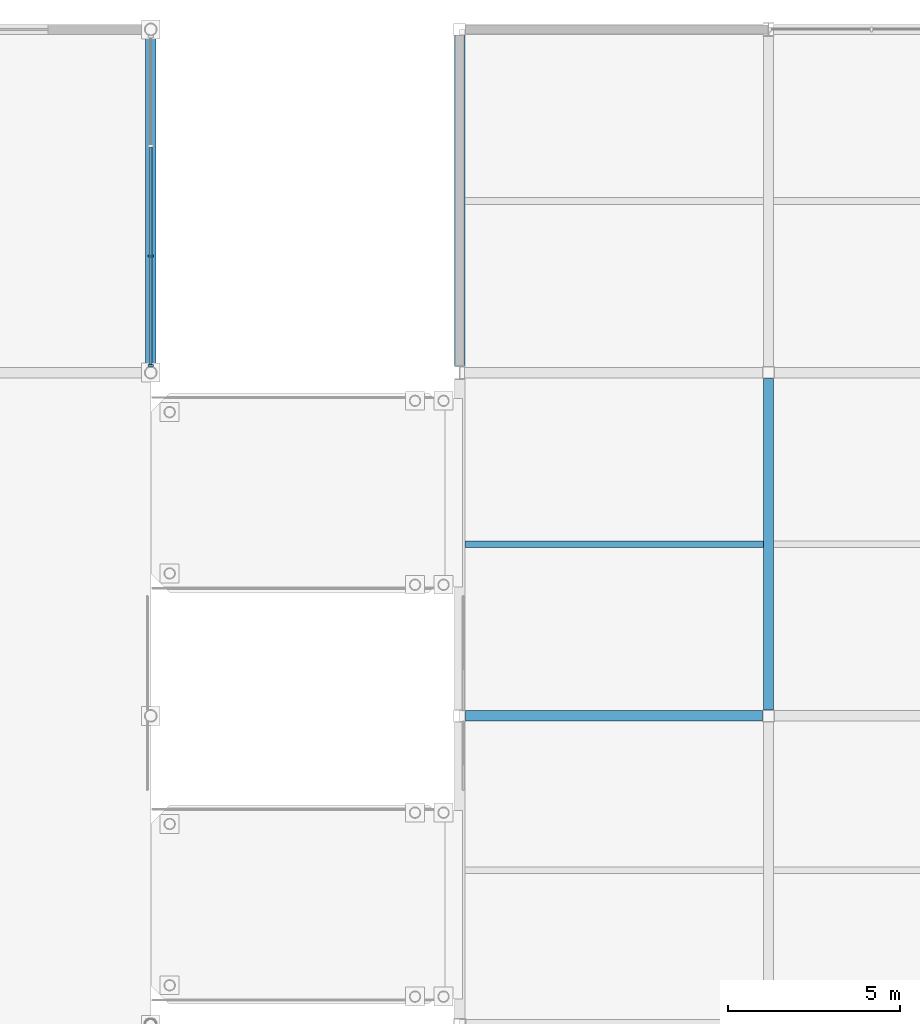
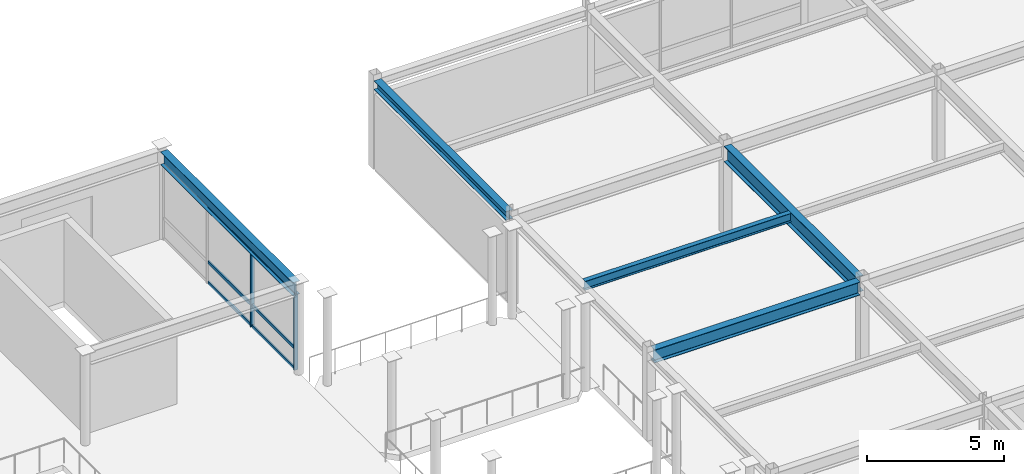
# One storey, part 22 of 53: 8 members, 5 beams, 1 element without a shape of its own.
"""IFC4 building model written with IfcOpenShell, lengths in metres."""

import ifcopenshell
import ifcopenshell.guid

model = None  # the IFC model being written
_history = None  # IfcOwnerHistory: only IFC2X3 demands one
_inside = {}  # id of a spatial element -> (the spatial element, [elements in it])
_under = {}  # id of a project, library or spatial element -> (it, [spatial elements below it])
_declared = {}  # id of a project -> (the project, [libraries it declares])
_typed = {}  # id of a type object -> (the type object, [elements of that type])
_made_of = {}  # id of a material, layer set ... -> (it, [elements and type objects made of it])


def new_model(schema):
    """Start an empty IFC model of exactly this schema.

    Asked for "IFC4X3", IfcOpenShell would pick the latest addendum, in which some entities
    have other attributes; the version numbers below select the first issue.
    IFC2X3 requires an IfcOwnerHistory on every rooted entity: one is made here for all.
    """
    global model, _history
    if schema == "IFC4X3":
        model = ifcopenshell.file(schema_version=(4, 3, 0, 0))
    else:
        model = ifcopenshell.file(schema=schema)
    _inside.clear()
    _under.clear()
    _declared.clear()
    _typed.clear()
    _made_of.clear()
    _history = None
    if model.schema == "IFC2X3":
        org = make("IfcOrganization", Name="unknown")
        user = make(
            "IfcPersonAndOrganization",
            ThePerson=make("IfcPerson", FamilyName="unknown"),
            TheOrganization=org,
        )
        app = make(
            "IfcApplication",
            ApplicationDeveloper=org,
            Version="unknown",
            ApplicationFullName="unknown",
            ApplicationIdentifier="unknown",
        )
        _history = make(
            "IfcOwnerHistory",
            OwningUser=user,
            OwningApplication=app,
            ChangeAction="ADDED",
            CreationDate=0,
        )
    return model


def make(cls, **values):
    """One entity of the class cls with the attributes given. An attribute that is None is left unset."""
    return model.create_entity(
        cls, **{name: value for name, value in values.items() if value is not None}
    )


def rooted(cls, **values):
    """An entity with a GlobalId (a new one), such as an element, a storey or a relation."""
    return make(cls, GlobalId=ifcopenshell.guid.new(), OwnerHistory=_history, **values)


def si_unit(unit_type, name, prefix=None):
    """IfcSIUnit, for example si_unit("LENGTHUNIT", "METRE", prefix="MILLI")."""
    return make("IfcSIUnit", UnitType=unit_type, Prefix=prefix, Name=name)


def assignment(units):
    """IfcUnitAssignment: the units of a project."""
    return None if units is None else make("IfcUnitAssignment", Units=units)


def point(xyz):
    """IfcCartesianPoint."""
    return None if xyz is None else make("IfcCartesianPoint", Coordinates=xyz)


def direction(xyz):
    """IfcDirection."""
    return None if xyz is None else make("IfcDirection", DirectionRatios=xyz)


def frame(location, z_axis=None, x_axis=None):
    """IfcAxis2Placement3D, a coordinate frame: its origin and axes. An axis left out is left unset."""
    return make(
        "IfcAxis2Placement3D",
        Location=point(location),
        Axis=direction(z_axis),
        RefDirection=direction(x_axis),
    )


def frame_2d(location, x_axis=None):
    """IfcAxis2Placement2D, a coordinate frame in the plane: its origin and x axis."""
    return make(
        "IfcAxis2Placement2D", Location=point(location), RefDirection=direction(x_axis)
    )


def origin():
    """The frame at (0, 0, 0) with its axes left unset."""
    return frame((0.0, 0.0, 0.0))


def origin_2d():
    """The frame at (0, 0) in the plane with its x axis left unset."""
    return frame_2d((0.0, 0.0))


def place(relative_to, where):
    """IfcLocalPlacement: puts the frame where relative to a parent placement (None: the world)."""
    return make(
        "IfcLocalPlacement", PlacementRelTo=relative_to, RelativePlacement=where
    )


def context(
    kind, dimensions, precision=None, world=None, true_north=None, identifier=None
):
    """IfcGeometricRepresentationContext, for example the 3D "Model" context."""
    return make(
        "IfcGeometricRepresentationContext",
        ContextIdentifier=identifier,
        ContextType=kind,
        CoordinateSpaceDimension=dimensions,
        Precision=precision,
        WorldCoordinateSystem=world,
        TrueNorth=true_north,
    )


def subcontext(parent, identifier, kind, view, scale=None):
    """IfcGeometricRepresentationSubContext, for example "Body" below "Model"."""
    return make(
        "IfcGeometricRepresentationSubContext",
        ContextIdentifier=identifier,
        ContextType=kind,
        ParentContext=parent,
        TargetScale=scale,
        TargetView=view,
    )


def project(units=None, contexts=None):
    """IfcProject with its units and contexts."""
    return rooted(
        "IfcProject",
        Name="project",
        RepresentationContexts=contexts,
        UnitsInContext=assignment(units),
    )


def spatial(cls, under=None, at=None, **own):
    """A site, building, storey or space (cls), placed at a placement, below another one or the project."""
    s = rooted(cls, ObjectPlacement=at, **own)
    if under is not None:
        _under.setdefault(under.id(), (under, []))[1].append(s)
    return s


def profile(cls, at=None, kind="AREA", **sizes):
    """A parametric profile (cls). Its sizes go by their IFC names, for example OverallWidth=200.0."""
    return make(cls, ProfileType=kind, Position=at, **sizes)


def rectangle(**sizes):
    """IfcRectangleProfileDef."""
    return profile("IfcRectangleProfileDef", **sizes)


def i_section(**sizes):
    """IfcIShapeProfileDef."""
    return profile("IfcIShapeProfileDef", **sizes)


def extrude(swept, where, along, depth):
    """IfcExtrudedAreaSolid: the profile swept, set in the frame where, extruded along a direction by depth."""
    return make(
        "IfcExtrudedAreaSolid",
        SweptArea=swept,
        Position=where,
        ExtrudedDirection=direction(along),
        Depth=depth,
    )


def shape(context_of_items, identifier, shape_type, items):
    """IfcShapeRepresentation: the items that make up one representation, for example the "Body"."""
    return make(
        "IfcShapeRepresentation",
        ContextOfItems=context_of_items,
        RepresentationIdentifier=identifier,
        RepresentationType=shape_type,
        Items=items,
    )


def material(Name=None, Category=None):
    """IfcMaterial."""
    return make("IfcMaterial", Name=Name, Category=Category)


def material_profile(
    of_material, cross_section, Name=None, Category=None, Priority=None
):
    """IfcMaterialProfile: a cross section and its material."""
    return make(
        "IfcMaterialProfile",
        Name=Name,
        Material=of_material,
        Profile=cross_section,
        Priority=Priority,
        Category=Category,
    )


def profile_set(profiles, Name=None, composite=None):
    """IfcMaterialProfileSet."""
    return make(
        "IfcMaterialProfileSet",
        Name=Name,
        MaterialProfiles=profiles,
        CompositeProfile=composite,
    )


def made_of(thing, what):
    """Note that an element or type object is made of a material, layer set ...; save() writes the relation."""
    if what is not None:
        _made_of.setdefault(what.id(), (what, []))[1].append(thing)
    return thing


def type_object(cls, material=None, **own):
    """A type object (cls), such as IfcWallType, which elements share."""
    return made_of(rooted(cls, **own), material)


def element(
    cls,
    number,
    at=None,
    inside=None,
    cuts=None,
    type_object=None,
    material=None,
    context=None,
    identifier="Body",
    shape_type=None,
    held_by="IfcProductDefinitionShape",
    body=None,
    shapes=None,
    **own,
):
    """One element of the class cls, such as IfcWall. Its Tag is "e" and its number.

    at: its placement. inside: the storey or other place that contains it. cuts: it is an
    opening in that element (IfcRelVoidsElement). A single representation is given by context,
    identifier, shape_type and body (its items); several are given by shapes. held_by: the class
    of the entity that holds the representations. save() writes the other relations.
    """
    e = rooted(cls, Tag="e%d" % number, ObjectPlacement=at, **own)
    if body is not None:
        shapes = [shape(context, identifier, shape_type, body)]
    if shapes is not None:
        e.Representation = make(held_by, Representations=shapes)
    if inside is not None:
        _inside.setdefault(inside.id(), (inside, []))[1].append(e)
    if cuts is not None:
        rooted(
            "IfcRelVoidsElement", RelatingBuildingElement=cuts, RelatedOpeningElement=e
        )
    if type_object is not None:
        _typed.setdefault(type_object.id(), (type_object, []))[1].append(e)
    return made_of(e, material)


def aggregate(whole, parts):
    """IfcRelAggregates: a whole, such as a stair, and the parts it consists of."""
    return rooted("IfcRelAggregates", RelatingObject=whole, RelatedObjects=parts)


def save(model, path):
    """Write the relations noted so far, then the file.

    IfcRelAggregates (storeys below a building ...), IfcRelContainedInSpatialStructure (elements
    in a storey), IfcRelDefinesByType, IfcRelAssociatesMaterial and IfcRelDeclares: one each for
    every whole, place, type object, material and project.
    """
    for whole, parts in _under.values():
        aggregate(whole, parts)
    for where, things in _inside.values():
        rooted(
            "IfcRelContainedInSpatialStructure",
            RelatedElements=things,
            RelatingStructure=where,
        )
    for kind, things in _typed.values():
        rooted("IfcRelDefinesByType", RelatedObjects=things, RelatingType=kind)
    for what, things in _made_of.values():
        rooted("IfcRelAssociatesMaterial", RelatedObjects=things, RelatingMaterial=what)
    for by, libraries in _declared.values():
        rooted("IfcRelDeclares", RelatingContext=by, RelatedDefinitions=libraries)
    model.write(path)


model = new_model("IFC4")

# Units and contexts
model_context = context("Model", 3, precision=1e-05, world=origin(), true_north=direction((0.0, 1.0)))
body_context = subcontext(model_context, "Body", "Model", "MODEL_VIEW")
ifc_project = project(units=[si_unit("LENGTHUNIT", "METRE"), si_unit("AREAUNIT", "SQUARE_METRE"), si_unit("VOLUMEUNIT", "CUBIC_METRE"), si_unit("PLANEANGLEUNIT", "RADIAN"), si_unit("MASSUNIT", "GRAM", prefix="KILO")], contexts=[model_context])

# Site, building, storey
site_placement = place(None, origin())
site = spatial("IfcSite", under=ifc_project, at=site_placement, CompositionType="ELEMENT")
building_placement = place(site_placement, origin())
building = spatial("IfcBuilding", under=site, at=building_placement, Name="Suzunagisa Mobility Hub", CompositionType="ELEMENT")
storey_placement = place(building_placement, frame((0.0, 0.0, 17.699951171875)))
storey = spatial("IfcBuildingStorey", under=building, at=storey_placement, Name="L04", CompositionType="ELEMENT", Elevation=17.699951171875)

# Curtain wall, members
ifc_material_1 = material(Name="Thermally Broken Anodized Aluminum and Low-E Glazing", Category="aluminium")
curtain_wall_type = type_object("IfcCurtainWallType", Name="Unitised Curtain Wall CW-05 9750x3400", PredefinedType="USERDEFINED", material=ifc_material_1)
curtain_wall_placement = place(storey_placement, origin())
curtain_wall = element("IfcCurtainWall", 1, at=curtain_wall_placement, inside=storey, type_object=curtain_wall_type, Name="L04 Unitised Curtain Wall CW-85", ObjectType="UNITISED CURTAIN WALL", PredefinedType="USERDEFINED")
ifc_material_2 = material(Name="Anodized Aluminum 6063-T6", Category="aluminium")
ifc_material_profile_1 = material_profile(ifc_material_2, rectangle(XDim=0.06494140625, YDim=0.139892578125, at=origin_2d()), Name="TRAN-65x140")
ifc_profile_set_1 = profile_set([ifc_material_profile_1], Name="Anodized Aluminum 6063-T6")
member_type_1 = type_object("IfcMemberType", Name="Curtain Wall Framing CM-01 TRAN-65x140", PredefinedType="USERDEFINED", material=ifc_profile_set_1)
member_1_placement = place(storey_placement, frame((36.0, 108.23583984375, 0.032470703125), z_axis=(0.0, 1.0, 0.0), x_axis=(-1.0, 0.0, 0.0)))
member_1 = element("IfcMember", 2, at=member_1_placement, type_object=member_type_1, Name="Curtain Wall Transom 85-T1.1", ObjectType="TRANSOM", PredefinedType="USERDEFINED", context=body_context, shape_type="SweptSolid", body=[
    extrude(rectangle(XDim=0.06494140625, YDim=0.139892578125, at=origin_2d()), origin(), (0.0, 0.0, 1.0), 3.128662109375),
])
member_2_placement = place(storey_placement, frame((36.0, 108.23583984375, 0.949951171875), z_axis=(0.0, 1.0, 0.0), x_axis=(-1.0, 0.0, 0.0)))
member_2 = element("IfcMember", 3, at=member_2_placement, type_object=member_type_1, Name="Curtain Wall Transom 85-T1.2", ObjectType="TRANSOM", PredefinedType="USERDEFINED", context=body_context, shape_type="SweptSolid", body=[
    extrude(rectangle(XDim=0.06494140625, YDim=0.139892578125, at=origin_2d()), origin(), (0.0, 0.0, 1.0), 3.128662109375),
])
member_3_placement = place(storey_placement, frame((36.0, 108.23583984375, 3.319580078125), z_axis=(0.0, 1.0, 0.0), x_axis=(-1.0, 0.0, 0.0)))
member_3 = element("IfcMember", 4, at=member_3_placement, type_object=member_type_1, Name="Curtain Wall Transom 85-T1.3", ObjectType="TRANSOM", PredefinedType="USERDEFINED", context=body_context, shape_type="SweptSolid", body=[
    extrude(rectangle(XDim=0.06494140625, YDim=0.139892578125, at=origin_2d()), origin(), (0.0, 0.0, 1.0), 3.128662109375),
])
member_4_placement = place(storey_placement, frame((36.0, 111.420654296875, 0.032470703125), z_axis=(0.0, 1.0, 0.0), x_axis=(-1.0, 0.0, 0.0)))
member_4 = element("IfcMember", 5, at=member_4_placement, type_object=member_type_1, Name="Curtain Wall Transom 85-T2.1", ObjectType="TRANSOM", PredefinedType="USERDEFINED", context=body_context, shape_type="SweptSolid", body=[
    extrude(rectangle(XDim=0.06494140625, YDim=0.139892578125, at=origin_2d()), origin(), (0.0, 0.0, 1.0), 3.15869140625),
])
member_5_placement = place(storey_placement, frame((36.0, 111.420654296875, 0.949951171875), z_axis=(0.0, 1.0, 0.0), x_axis=(-1.0, 0.0, 0.0)))
member_5 = element("IfcMember", 6, at=member_5_placement, type_object=member_type_1, Name="Curtain Wall Transom 85-T2.2", ObjectType="TRANSOM", PredefinedType="USERDEFINED", context=body_context, shape_type="SweptSolid", body=[
    extrude(rectangle(XDim=0.06494140625, YDim=0.139892578125, at=origin_2d()), origin(), (0.0, 0.0, 1.0), 3.15869140625),
])
member_6_placement = place(storey_placement, frame((36.0, 111.420654296875, 3.319580078125), z_axis=(0.0, 1.0, 0.0), x_axis=(-1.0, 0.0, 0.0)))
member_6 = element("IfcMember", 7, at=member_6_placement, type_object=member_type_1, Name="Curtain Wall Transom 85-T2.3", ObjectType="TRANSOM", PredefinedType="USERDEFINED", context=body_context, shape_type="SweptSolid", body=[
    extrude(rectangle(XDim=0.06494140625, YDim=0.139892578125, at=origin_2d()), origin(), (0.0, 0.0, 1.0), 3.15869140625),
])
ifc_material_profile_2 = material_profile(ifc_material_2, rectangle(XDim=0.06005859375, YDim=0.14990234375, at=origin_2d()), Name="MULL-60x150")
ifc_profile_set_2 = profile_set([ifc_material_profile_2], Name="Anodized Aluminum 6063-T6")
member_type_2 = type_object("IfcMemberType", Name="Curtain Wall Framing CM-03 MULL-60x150", PredefinedType="MULLION", material=ifc_profile_set_2)
member_7_placement = place(storey_placement, frame((36.0, 108.207763671875, 0.0), z_axis=(0.0, 0.0, 1.0), x_axis=(0.0, 1.0, 0.0)))
member_7 = element("IfcMember", 8, at=member_7_placement, type_object=member_type_2, Name="Curtain Wall Mullion 85-M1", PredefinedType="MULLION", context=body_context, shape_type="SweptSolid", body=[
    extrude(rectangle(XDim=0.06005859375, YDim=0.14990234375, at=origin_2d()), origin(), (0.0, 0.0, 1.0), 3.35205078125),
])
member_8_placement = place(storey_placement, frame((36.0, 111.392578125, 0.0), z_axis=(0.0, 0.0, 1.0), x_axis=(0.0, 1.0, 0.0)))
member_8 = element("IfcMember", 9, at=member_8_placement, type_object=member_type_2, Name="Curtain Wall Mullion 85-M2", PredefinedType="MULLION", context=body_context, shape_type="SweptSolid", body=[
    extrude(rectangle(XDim=0.06005859375, YDim=0.14990234375, at=origin_2d()), origin(), (0.0, 0.0, 1.0), 3.35205078125),
])
aggregate(curtain_wall, [member_7, member_8, member_1, member_2, member_3, member_4, member_5, member_6])

# Beams
ifc_material_3 = material(Name="Steel SN490B", Category="steel")
ifc_material_profile_3 = material_profile(ifc_material_3, i_section(OverallWidth=0.300048828125, OverallDepth=0.699951171875, WebThickness=0.012939453125, FlangeThickness=0.02392578125, FilletRadius=0.01806640625, at=origin_2d()), Name="H-700x300x13x24")
ifc_profile_set_3 = profile_set([ifc_material_profile_3], Name="Steel SN490B")
beam_type_1 = type_object("IfcBeamType", Name="Steel Beam BM-11 H-700x300x13x24", PredefinedType="BEAM", material=ifc_profile_set_3)
beam_1_placement = place(storey_placement, frame((54.0, 98.1708984375, 3.60009765625), z_axis=(0.0, 1.0, 0.0), x_axis=(-1.0, 0.0, 0.0)))
element("IfcBeam", 10, at=beam_1_placement, inside=storey, type_object=beam_type_1, Name="L04 Primary Girder GY-1179", PredefinedType="BEAM", context=body_context, shape_type="SweptSolid", body=[
    extrude(i_section(OverallWidth=0.300048828125, OverallDepth=0.699951171875, WebThickness=0.012939453125, FlangeThickness=0.02392578125, FilletRadius=0.01806640625, at=origin_2d()), origin(), (0.0, 0.0, 1.0), 9.658203125),
])
ifc_material_profile_4 = material_profile(ifc_material_3, i_section(OverallWidth=0.300048828125, OverallDepth=0.389892578125, WebThickness=0.010009765625, FlangeThickness=0.01611328125, FilletRadius=0.012939453125, at=origin_2d()), Name="H-390x300x10x16")
ifc_profile_set_4 = profile_set([ifc_material_profile_4], Name="Steel SN490B")
beam_type_2 = type_object("IfcBeamType", Name="Steel Beam BM-13 H-390x300x10x16", PredefinedType="SPANDREL", material=ifc_profile_set_4)
beam_2_placement = place(storey_placement, frame((45.0, 108.19091796875, 3.755126953125), z_axis=(0.0, 1.0, 0.0), x_axis=(-1.0, 0.0, 0.0)))
element("IfcBeam", 11, at=beam_2_placement, inside=storey, type_object=beam_type_2, Name="L04 Primary Girder GY-1176", PredefinedType="SPANDREL", context=body_context, shape_type="SweptSolid", body=[
    extrude(i_section(OverallWidth=0.300048828125, OverallDepth=0.389892578125, WebThickness=0.010009765625, FlangeThickness=0.01611328125, FilletRadius=0.012939453125, at=origin_2d()), origin(), (0.0, 0.0, 1.0), 9.63818359375),
])
ifc_material_4 = material(Name="Steel SN400B", Category="steel")
ifc_material_profile_5 = material_profile(ifc_material_4, i_section(OverallWidth=0.199951171875, OverallDepth=0.39990234375, WebThickness=0.008056640625, FlangeThickness=0.012939453125, FilletRadius=0.012939453125, at=origin_2d()), Name="H-400x200x8x13")
ifc_profile_set_5 = profile_set([ifc_material_profile_5], Name="Steel SN400B")
beam_type_3 = type_object("IfcBeamType", Name="Steel Beam BM-14 H-400x200x8x13", PredefinedType="JOIST", material=ifc_profile_set_5)
beam_3_placement = place(storey_placement, frame((45.14990234375, 103.0, 3.75), z_axis=(1.0, 0.0, 0.0), x_axis=(0.0, 1.0, 0.0)))
element("IfcBeam", 12, at=beam_3_placement, inside=storey, type_object=beam_type_3, Name="L04 Composite Floor Joist J-1203", PredefinedType="JOIST", context=body_context, shape_type="SweptSolid", body=[
    extrude(i_section(OverallWidth=0.199951171875, OverallDepth=0.39990234375, WebThickness=0.008056640625, FlangeThickness=0.012939453125, FilletRadius=0.012939453125, at=origin_2d()), origin(), (0.0, 0.0, 1.0), 8.7001953125),
])
ifc_material_profile_6 = material_profile(ifc_material_3, i_section(OverallWidth=0.300048828125, OverallDepth=0.587890625, WebThickness=0.011962890625, FlangeThickness=0.02001953125, FilletRadius=0.012939453125, at=origin_2d()), Name="H-588x300x12x20")
ifc_profile_set_6 = profile_set([ifc_material_profile_6], Name="Steel SN490B")
beam_type_4 = type_object("IfcBeamType", Name="Steel Beam BM-16 H-588x300x12x20", PredefinedType="BEAM", material=ifc_profile_set_6)
beam_4_placement = place(storey_placement, frame((45.1708984375, 98.0, 3.656005859375), z_axis=(1.0, 0.0, 0.0), x_axis=(0.0, 1.0, 0.0)))
element("IfcBeam", 13, at=beam_4_placement, inside=storey, type_object=beam_type_4, Name="L04 Primary Girder GX-1155", PredefinedType="BEAM", context=body_context, shape_type="SweptSolid", body=[
    extrude(i_section(OverallWidth=0.300048828125, OverallDepth=0.587890625, WebThickness=0.011962890625, FlangeThickness=0.02001953125, FilletRadius=0.012939453125, at=origin_2d()), origin(), (0.0, 0.0, 1.0), 8.658203125),
])
beam_5_placement = place(storey_placement, frame((36.0, 108.173828125, 3.64599609375), z_axis=(0.0, 1.0, 0.0), x_axis=(-1.0, 0.0, 0.0)))
element("IfcBeam", 14, at=beam_5_placement, inside=storey, type_object=beam_type_4, Name="L04 Ramp Drum Rim Girder 2269", PredefinedType="BEAM", context=body_context, shape_type="SweptSolid", body=[
    extrude(i_section(OverallWidth=0.300048828125, OverallDepth=0.587890625, WebThickness=0.011962890625, FlangeThickness=0.02001953125, FilletRadius=0.012939453125, at=origin_2d()), origin(), (0.0, 0.0, 1.0), 9.65234375),
])

save(model, "model.ifc")
